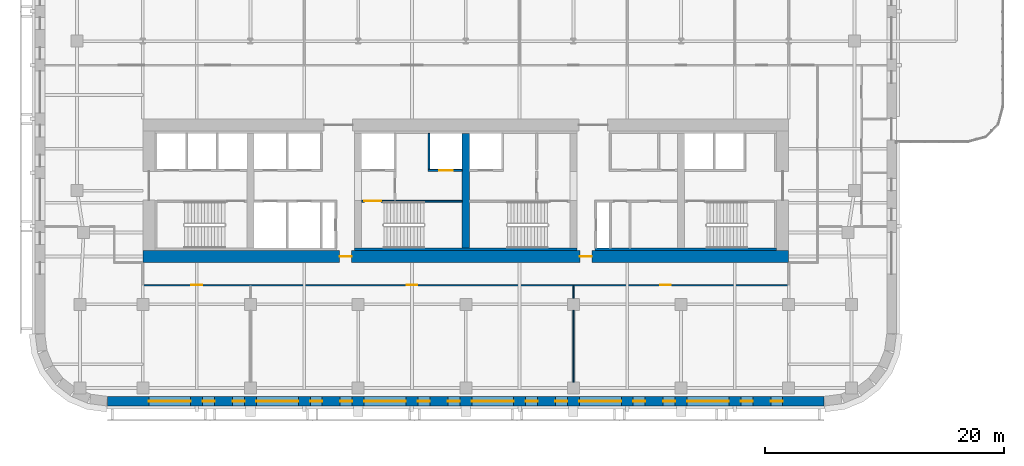
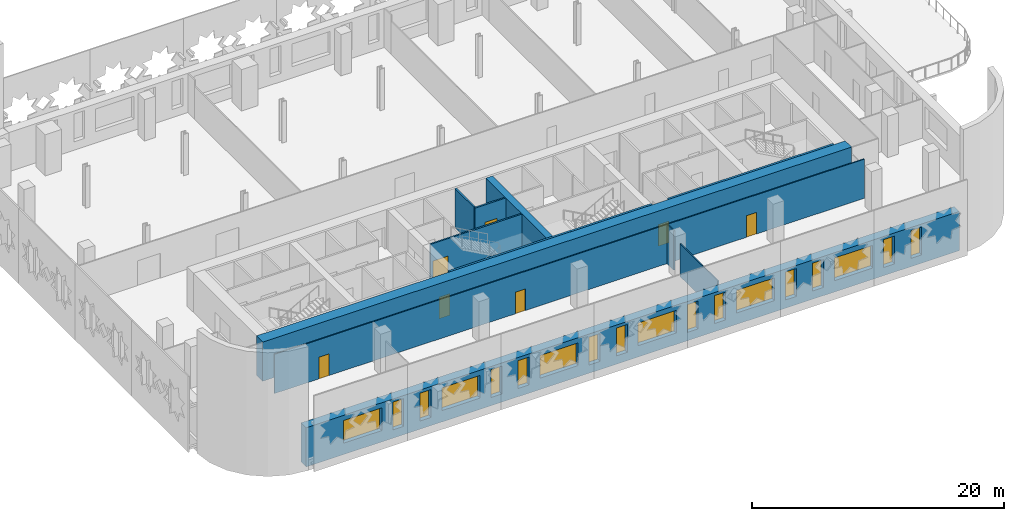
# One storey, part 4 of 11: 18 windows, 11 walls, 7 doors, 25 openings.
"""IFC4 building model written with IfcOpenShell, lengths in metres."""

from ifc_helpers import new_model, si_unit, direction, frame, frame_2d, origin, place, context, subcontext, project, spatial, rectangle, extrude, material, layer, layer_set, type_object, element, fill, save


model = new_model("IFC4")

# Units and contexts
model_context = context("Model", 3, precision=1e-05, world=origin(), true_north=direction((0.0, 1.0)))
body_context = subcontext(model_context, "Body", "Model", "MODEL_VIEW")
ifc_project = project(units=[si_unit("LENGTHUNIT", "METRE"), si_unit("AREAUNIT", "SQUARE_METRE"), si_unit("VOLUMEUNIT", "CUBIC_METRE"), si_unit("PLANEANGLEUNIT", "RADIAN"), si_unit("MASSUNIT", "GRAM", prefix="KILO")], contexts=[model_context])

# Site, building, storey
site_placement = place(None, origin())
site = spatial("IfcSite", under=ifc_project, at=site_placement, CompositionType="ELEMENT")
building_placement = place(site_placement, origin())
building = spatial("IfcBuilding", under=site, at=building_placement, Name="Zellij Exchange Tower", CompositionType="ELEMENT")
storey_placement = place(building_placement, frame((0.0, 0.0, 144.5)))
storey = spatial("IfcBuildingStorey", under=building, at=storey_placement, Name="L32", CompositionType="ELEMENT", Elevation=144.5)

# Walls
ifc_material_1 = material(Name="Concrete C70/85", Category="concrete")
ifc_layer_1 = layer(ifc_material_1, 0.60009765625)
ifc_layer_set_1 = layer_set([ifc_layer_1], Name="Concrete C70/85")
wall_type_1 = type_object("IfcWallType", Name="CORE-CW 600 C70/85", PredefinedType="SHEAR", material=ifc_layer_set_1)
wall_1_placement = place(storey_placement, frame((0.0, -12.800048828125, 0.0), z_axis=(0.0, 0.0, 1.0), x_axis=(0.0, 1.0, 0.0)))
element("IfcWall", 1, at=wall_1_placement, inside=storey, type_object=wall_type_1, Name="Core cross wall x 0 L32", PredefinedType="SHEAR", context=body_context, shape_type="SweptSolid", body=[
    extrude(rectangle(XDim=9.60009765625, YDim=0.60009765625, at=frame_2d((4.800048828125, 0.0))), origin(), (0.0, 0.0, 1.0), 3.800048828125),
])
ifc_material_2 = material(Name="Concrete C30/37", Category="concrete")
ifc_layer_2 = layer(ifc_material_2, 0.199951171875)
ifc_layer_set_2 = layer_set([ifc_layer_2], Name="Concrete C30/37")
wall_type_2 = type_object("IfcWallType", Name="CORE-LW 200 C30/37", PredefinedType="SHEAR", material=ifc_layer_set_2)
wall_2_placement = place(storey_placement, frame((-9.300048828125, -12.89990234375, 0.0), z_axis=(0.0, 0.0, 1.0), x_axis=(1.0, 0.0, 0.0)))
element("IfcWall", 2, at=wall_2_placement, inside=storey, type_object=wall_type_2, Name="Core wall lining rear.1 L32", PredefinedType="SHEAR", context=body_context, shape_type="SweptSolid", body=[
    extrude(rectangle(XDim=18.60009765625, YDim=0.199951171875, at=frame_2d((9.300048828125, 0.0))), origin(), (0.0, 0.0, 1.0), 3.800048828125),
])
wall_3_placement = place(storey_placement, frame((10.800048828125, -12.89990234375, 0.0), z_axis=(0.0, 0.0, 1.0), x_axis=(1.0, 0.0, 0.0)))
element("IfcWall", 3, at=wall_3_placement, inside=storey, type_object=wall_type_2, Name="Core wall lining rear.2 L32", PredefinedType="SHEAR", context=body_context, shape_type="SweptSolid", body=[
    extrude(rectangle(XDim=15.199951171875, YDim=0.199951171875, at=frame_2d((7.60009765625, 0.0))), origin(), (0.0, 0.0, 1.0), 3.800048828125),
])
ifc_material_3 = material(Name="Gypsum shaft wall system")
ifc_layer_3 = layer(ifc_material_3, 0.14990234375)
ifc_layer_set_3 = layer_set([ifc_layer_3], Name="Gypsum shaft wall system")
wall_type_3 = type_object("IfcWallType", Name="CORE-PW 150 Lift shaft wall", PredefinedType="PARTITIONING", material=ifc_layer_set_3)
wall_4_placement = place(storey_placement, frame((-3.074951171875, -6.22509765625, 0.0), z_axis=(0.0, 0.0, 1.0), x_axis=(0.0, 1.0, 0.0)))
element("IfcWall", 4, at=wall_4_placement, inside=storey, type_object=wall_type_3, Name="Lift shaft wall L32", PredefinedType="PARTITIONING", context=body_context, shape_type="SweptSolid", body=[
    extrude(rectangle(XDim=3.025146484375, YDim=0.14990234375, at=frame_2d((1.5126953125, 0.0))), origin(), (0.0, 0.0, 1.0), 3.800048828125),
])

# Wall, opening, door
wall_5_placement = place(storey_placement, frame((-3.14990234375, -6.300048828125, 0.0), z_axis=(0.0, 0.0, 1.0), x_axis=(1.0, 0.0, 0.0)))
wall_5 = element("IfcWall", 5, at=wall_5_placement, inside=storey, type_object=wall_type_3, Name="Lift shaft wall L32", PredefinedType="PARTITIONING", context=body_context, shape_type="SweptSolid", body=[
    extrude(rectangle(XDim=2.849853515625, YDim=0.14990234375, at=frame_2d((1.4248046875, 0.0))), origin(), (0.0, 0.0, 1.0), 3.800048828125),
])
opening_1_placement = place(wall_5_placement, frame((0.949951171875, 0.0, 0.0)))
opening_1 = element("IfcOpeningElement", 6, at=opening_1_placement, cuts=wall_5, Name="Opening CA-16.16", PredefinedType="OPENING", context=body_context, shape_type="SweptSolid", body=[
    extrude(rectangle(XDim=1.10009765625, YDim=2.10009765625, at=frame_2d((0.550048828125, 1.050048828125))), frame((0.0, 0.0869140625, 0.0), z_axis=(0.0, -1.0, 0.0), x_axis=(1.0, 0.0, 0.0)), (0.0, 0.0, 1.0), 0.173828125),
])
ifc_material_4 = material(Name="Hollow metal fire door")
door_type_1 = type_object("IfcDoorType", Name="CORE-D LD Lift landing door 1100x2100 1.5 HR", OperationType="NOTDEFINED", PredefinedType="DOOR", material=ifc_material_4)
door_1_placement = place(opening_1_placement, origin())
door_1 = element("IfcDoor", 7, at=door_1_placement, inside=storey, type_object=door_type_1, Name="Lift landing door CA-16.16", OperationType="SLIDING_TO_RIGHT", OverallHeight=2.10009765625, OverallWidth=1.10009765625, PredefinedType="DOOR", context=body_context, shape_type="SweptSolid", body=[
    extrude(rectangle(XDim=1.10009765625, YDim=2.10009765625, at=frame_2d((0.550048828125, 1.050048828125))), frame((0.0, 0.02490234375, 0.0), z_axis=(0.0, -1.0, 0.0), x_axis=(1.0, 0.0, 0.0)), (0.0, 0.0, 1.0), 0.050048828125),
])
fill(opening_1, door_1)

# Wall, openings, doors
ifc_layer_4 = layer(ifc_material_1, 1.0)
ifc_layer_set_4 = layer_set([ifc_layer_4], Name="Concrete C70/85")
wall_type_4 = type_object("IfcWallType", Name="CORE-SW 1000 C70/85", PredefinedType="SHEAR", material=ifc_layer_set_4)
wall_6_placement = place(storey_placement, frame((-27.0, -13.5, 0.0), z_axis=(0.0, 0.0, 1.0), x_axis=(1.0, 0.0, 0.0)))
wall_6 = element("IfcWall", 8, at=wall_6_placement, inside=storey, type_object=wall_type_4, Name="Core shear wall rear L32", PredefinedType="SHEAR", context=body_context, shape_type="SweptSolid", body=[
    extrude(rectangle(XDim=54.0, YDim=1.0, at=frame_2d((27.0, 0.0))), origin(), (0.0, 0.0, 1.0), 3.800048828125),
])
opening_2_placement = place(wall_6_placement, frame((16.449951171875, 0.0, 0.0)))
opening_2 = element("IfcOpeningElement", 9, at=opening_2_placement, cuts=wall_6, Name="Opening CA-16.12", PredefinedType="OPENING", context=body_context, shape_type="SweptSolid", body=[
    extrude(rectangle(XDim=1.0, YDim=2.10009765625, at=frame_2d((0.5, 1.050048828125))), frame((0.0, 0.511962890625, 0.0), z_axis=(0.0, -1.0, 0.0), x_axis=(1.0, 0.0, 0.0)), (0.0, 0.0, 1.0), 1.02392578125),
])
opening_3_placement = place(wall_6_placement, frame((36.550048828125, 0.0, 0.0)))
opening_3 = element("IfcOpeningElement", 10, at=opening_3_placement, cuts=wall_6, Name="Opening CA-16.20", PredefinedType="OPENING", context=body_context, shape_type="SweptSolid", body=[
    extrude(rectangle(XDim=1.0, YDim=2.10009765625, at=frame_2d((0.5, 1.050048828125))), frame((0.0, 0.511962890625, 0.0), z_axis=(0.0, -1.0, 0.0), x_axis=(1.0, 0.0, 0.0)), (0.0, 0.0, 1.0), 1.02392578125),
])
door_type_2 = type_object("IfcDoorType", Name="CORE-D CR Core rear door 1000x2100 20 MIN", OperationType="NOTDEFINED", PredefinedType="DOOR", material=ifc_material_4)
door_2_placement = place(opening_2_placement, origin())
door_2 = element("IfcDoor", 11, at=door_2_placement, inside=storey, type_object=door_type_2, Name="Core rear door CA-16.12", OperationType="SINGLE_SWING_RIGHT", OverallHeight=2.10009765625, OverallWidth=1.0, PredefinedType="DOOR", context=body_context, shape_type="SweptSolid", body=[
    extrude(rectangle(XDim=1.0, YDim=2.10009765625, at=frame_2d((0.5, 1.050048828125))), frame((0.0, 0.02490234375, 0.0), z_axis=(0.0, -1.0, 0.0), x_axis=(1.0, 0.0, 0.0)), (0.0, 0.0, 1.0), 0.050048828125),
])
fill(opening_2, door_2)
door_3_placement = place(opening_3_placement, origin())
door_3 = element("IfcDoor", 12, at=door_3_placement, inside=storey, type_object=door_type_2, Name="Core rear door CA-16.20", OperationType="SINGLE_SWING_LEFT", OverallHeight=2.10009765625, OverallWidth=1.0, PredefinedType="DOOR", context=body_context, shape_type="SweptSolid", body=[
    extrude(rectangle(XDim=1.0, YDim=2.10009765625, at=frame_2d((0.5, 1.050048828125))), frame((0.0, 0.02490234375, 0.0), z_axis=(0.0, -1.0, 0.0), x_axis=(1.0, 0.0, 0.0)), (0.0, 0.0, 1.0), 0.050048828125),
])
fill(opening_3, door_3)

# Wall, opening, door
ifc_layer_5 = layer(ifc_material_1, 0.14990234375)
ifc_layer_set_5 = layer_set([ifc_layer_5], Name="Concrete C70/85")
wall_type_5 = type_object("IfcWallType", Name="CORE-SWS 150 C70/85", PredefinedType="SHEAR", material=ifc_layer_set_5)
wall_7_placement = place(storey_placement, frame((-8.699951171875, -8.875, 0.0), z_axis=(0.0, 0.0, 1.0), x_axis=(1.0, 0.0, 0.0)))
wall_7 = element("IfcWall", 13, at=wall_7_placement, inside=storey, type_object=wall_type_5, Name="Stair enclosure wall L32", PredefinedType="SHEAR", context=body_context, shape_type="SweptSolid", body=[
    extrude(rectangle(XDim=8.39990234375, YDim=0.14990234375, at=frame_2d((4.199951171875, 0.0))), origin(), (0.0, 0.0, 1.0), 3.800048828125),
])
opening_4_placement = place(wall_7_placement, frame((0.22509765625, 0.0, 0.0)))
opening_4 = element("IfcOpeningElement", 14, at=opening_4_placement, cuts=wall_7, Name="Opening CA-16.13", PredefinedType="OPENING", context=body_context, shape_type="SweptSolid", body=[
    extrude(rectangle(XDim=1.39990234375, YDim=2.10009765625, at=frame_2d((0.699951171875, 1.050048828125))), frame((0.0, 0.0869140625, 0.0), z_axis=(0.0, -1.0, 0.0), x_axis=(1.0, 0.0, 0.0)), (0.0, 0.0, 1.0), 0.173828125),
])
door_type_3 = type_object("IfcDoorType", Name="CORE-D SD Stair door 1400x2100 1.5 HR", OperationType="NOTDEFINED", PredefinedType="DOOR", material=ifc_material_4)
door_4_placement = place(opening_4_placement, origin())
door_4 = element("IfcDoor", 15, at=door_4_placement, inside=storey, type_object=door_type_3, Name="Stair door CA-16.13", OperationType="DOUBLE_DOOR_SINGLE_SWING", OverallHeight=2.10009765625, OverallWidth=1.39990234375, PredefinedType="DOOR", context=body_context, shape_type="SweptSolid", body=[
    extrude(rectangle(XDim=1.39990234375, YDim=2.10009765625, at=frame_2d((0.699951171875, 1.050048828125))), frame((0.0, 0.02490234375, 0.0), z_axis=(0.0, -1.0, 0.0), x_axis=(1.0, 0.0, 0.0)), (0.0, 0.0, 1.0), 0.050048828125),
])
fill(opening_4, door_4)

# Wall, openings, windows
ifc_material_5 = material(Name="Precast concrete C40/50", Category="concrete")
ifc_layer_6 = layer(ifc_material_5, 0.800048828125)
ifc_layer_set_6 = layer_set([ifc_layer_6], Name="Precast concrete C40/50")
wall_type_6 = type_object("IfcWallType", Name="ENV-EW1 Precast stone-piered wall 800", PredefinedType="SOLIDWALL", material=ifc_layer_set_6)
wall_8_placement = place(storey_placement, frame((-29.947509765625, -25.60009765625, 0.0), z_axis=(0.0, 0.0, 1.0), x_axis=(1.0, 0.0, 0.0)))
wall_8 = element("IfcWall", 16, at=wall_8_placement, inside=storey, type_object=wall_type_6, Name="fac.L32.00", PredefinedType="SOLIDWALL", context=body_context, shape_type="SweptSolid", body=[
    extrude(rectangle(XDim=59.89501953125, YDim=0.800048828125, at=frame_2d((29.947509765625, 0.0))), origin(), (0.0, 0.0, 1.0), 3.800048828125),
])
opening_5_placement = place(wall_8_placement, frame((3.447509765625, 0.0, 1.10009765625)))
opening_5 = element("IfcOpeningElement", 17, at=opening_5_placement, cuts=wall_8, Name="Opening FZ2.01", PredefinedType="OPENING", context=body_context, shape_type="SweptSolid", body=[
    extrude(rectangle(XDim=3.5, YDim=2.199951171875, at=frame_2d((1.75, 1.10009765625))), frame((0.0, 0.412109375, 0.0), z_axis=(0.0, -1.0, 0.0), x_axis=(1.0, 0.0, 0.0)), (0.0, 0.0, 1.0), 0.823974609375),
])
opening_6_placement = place(wall_8_placement, frame((7.947509765625, 0.0, 0.800048828125)))
opening_6 = element("IfcOpeningElement", 18, at=opening_6_placement, cuts=wall_8, Name="Opening FZ2.02", PredefinedType="OPENING", context=body_context, shape_type="SweptSolid", body=[
    extrude(rectangle(XDim=1.0, YDim=2.699951171875, at=frame_2d((0.5, 1.35009765625))), frame((0.0, 0.412109375, 0.0), z_axis=(0.0, -1.0, 0.0), x_axis=(1.0, 0.0, 0.0)), (0.0, 0.0, 1.0), 0.823974609375),
])
opening_7_placement = place(wall_8_placement, frame((10.447509765625, 0.0, 0.800048828125)))
opening_7 = element("IfcOpeningElement", 19, at=opening_7_placement, cuts=wall_8, Name="Opening FZ2.03", PredefinedType="OPENING", context=body_context, shape_type="SweptSolid", body=[
    extrude(rectangle(XDim=1.0, YDim=2.699951171875, at=frame_2d((0.5, 1.35009765625))), frame((0.0, 0.412109375, 0.0), z_axis=(0.0, -1.0, 0.0), x_axis=(1.0, 0.0, 0.0)), (0.0, 0.0, 1.0), 0.823974609375),
])
opening_8_placement = place(wall_8_placement, frame((12.447509765625, 0.0, 1.10009765625)))
opening_8 = element("IfcOpeningElement", 20, at=opening_8_placement, cuts=wall_8, Name="Opening FZ2.04", PredefinedType="OPENING", context=body_context, shape_type="SweptSolid", body=[
    extrude(rectangle(XDim=3.5, YDim=2.199951171875, at=frame_2d((1.75, 1.10009765625))), frame((0.0, 0.412109375, 0.0), z_axis=(0.0, -1.0, 0.0), x_axis=(1.0, 0.0, 0.0)), (0.0, 0.0, 1.0), 0.823974609375),
])
opening_9_placement = place(wall_8_placement, frame((16.947509765625, 0.0, 0.800048828125)))
opening_9 = element("IfcOpeningElement", 21, at=opening_9_placement, cuts=wall_8, Name="Opening FZ2.05", PredefinedType="OPENING", context=body_context, shape_type="SweptSolid", body=[
    extrude(rectangle(XDim=1.0, YDim=2.699951171875, at=frame_2d((0.5, 1.35009765625))), frame((0.0, 0.412109375, 0.0), z_axis=(0.0, -1.0, 0.0), x_axis=(1.0, 0.0, 0.0)), (0.0, 0.0, 1.0), 0.823974609375),
])
opening_10_placement = place(wall_8_placement, frame((19.447509765625, 0.0, 0.800048828125)))
opening_10 = element("IfcOpeningElement", 22, at=opening_10_placement, cuts=wall_8, Name="Opening FZ2.06", PredefinedType="OPENING", context=body_context, shape_type="SweptSolid", body=[
    extrude(rectangle(XDim=1.0, YDim=2.699951171875, at=frame_2d((0.5, 1.35009765625))), frame((0.0, 0.412109375, 0.0), z_axis=(0.0, -1.0, 0.0), x_axis=(1.0, 0.0, 0.0)), (0.0, 0.0, 1.0), 0.823974609375),
])
opening_11_placement = place(wall_8_placement, frame((21.447509765625, 0.0, 1.10009765625)))
opening_11 = element("IfcOpeningElement", 23, at=opening_11_placement, cuts=wall_8, Name="Opening FZ2.07", PredefinedType="OPENING", context=body_context, shape_type="SweptSolid", body=[
    extrude(rectangle(XDim=3.5, YDim=2.199951171875, at=frame_2d((1.75, 1.10009765625))), frame((0.0, 0.412109375, 0.0), z_axis=(0.0, -1.0, 0.0), x_axis=(1.0, 0.0, 0.0)), (0.0, 0.0, 1.0), 0.823974609375),
])
opening_12_placement = place(wall_8_placement, frame((25.947509765625, 0.0, 0.800048828125)))
opening_12 = element("IfcOpeningElement", 24, at=opening_12_placement, cuts=wall_8, Name="Opening FZ2.08", PredefinedType="OPENING", context=body_context, shape_type="SweptSolid", body=[
    extrude(rectangle(XDim=1.0, YDim=2.699951171875, at=frame_2d((0.5, 1.35009765625))), frame((0.0, 0.412109375, 0.0), z_axis=(0.0, -1.0, 0.0), x_axis=(1.0, 0.0, 0.0)), (0.0, 0.0, 1.0), 0.823974609375),
])
opening_13_placement = place(wall_8_placement, frame((28.447509765625, 0.0, 0.800048828125)))
opening_13 = element("IfcOpeningElement", 25, at=opening_13_placement, cuts=wall_8, Name="Opening FZ2.09", PredefinedType="OPENING", context=body_context, shape_type="SweptSolid", body=[
    extrude(rectangle(XDim=1.0, YDim=2.699951171875, at=frame_2d((0.5, 1.35009765625))), frame((0.0, 0.412109375, 0.0), z_axis=(0.0, -1.0, 0.0), x_axis=(1.0, 0.0, 0.0)), (0.0, 0.0, 1.0), 0.823974609375),
])
opening_14_placement = place(wall_8_placement, frame((30.447509765625, 0.0, 1.10009765625)))
opening_14 = element("IfcOpeningElement", 26, at=opening_14_placement, cuts=wall_8, Name="Opening FZ2.10", PredefinedType="OPENING", context=body_context, shape_type="SweptSolid", body=[
    extrude(rectangle(XDim=3.5, YDim=2.199951171875, at=frame_2d((1.75, 1.10009765625))), frame((0.0, 0.412109375, 0.0), z_axis=(0.0, -1.0, 0.0), x_axis=(1.0, 0.0, 0.0)), (0.0, 0.0, 1.0), 0.823974609375),
])
opening_15_placement = place(wall_8_placement, frame((34.947509765625, 0.0, 0.800048828125)))
opening_15 = element("IfcOpeningElement", 27, at=opening_15_placement, cuts=wall_8, Name="Opening FZ2.11", PredefinedType="OPENING", context=body_context, shape_type="SweptSolid", body=[
    extrude(rectangle(XDim=1.0, YDim=2.699951171875, at=frame_2d((0.5, 1.35009765625))), frame((0.0, 0.412109375, 0.0), z_axis=(0.0, -1.0, 0.0), x_axis=(1.0, 0.0, 0.0)), (0.0, 0.0, 1.0), 0.823974609375),
])
opening_16_placement = place(wall_8_placement, frame((37.447509765625, 0.0, 0.800048828125)))
opening_16 = element("IfcOpeningElement", 28, at=opening_16_placement, cuts=wall_8, Name="Opening FZ2.12", PredefinedType="OPENING", context=body_context, shape_type="SweptSolid", body=[
    extrude(rectangle(XDim=1.0, YDim=2.699951171875, at=frame_2d((0.5, 1.35009765625))), frame((0.0, 0.412109375, 0.0), z_axis=(0.0, -1.0, 0.0), x_axis=(1.0, 0.0, 0.0)), (0.0, 0.0, 1.0), 0.823974609375),
])
opening_17_placement = place(wall_8_placement, frame((39.447509765625, 0.0, 1.10009765625)))
opening_17 = element("IfcOpeningElement", 29, at=opening_17_placement, cuts=wall_8, Name="Opening FZ2.13", PredefinedType="OPENING", context=body_context, shape_type="SweptSolid", body=[
    extrude(rectangle(XDim=3.5, YDim=2.199951171875, at=frame_2d((1.75, 1.10009765625))), frame((0.0, 0.412109375, 0.0), z_axis=(0.0, -1.0, 0.0), x_axis=(1.0, 0.0, 0.0)), (0.0, 0.0, 1.0), 0.823974609375),
])
opening_18_placement = place(wall_8_placement, frame((43.947509765625, 0.0, 0.800048828125)))
opening_18 = element("IfcOpeningElement", 30, at=opening_18_placement, cuts=wall_8, Name="Opening FZ2.14", PredefinedType="OPENING", context=body_context, shape_type="SweptSolid", body=[
    extrude(rectangle(XDim=1.0, YDim=2.699951171875, at=frame_2d((0.5, 1.35009765625))), frame((0.0, 0.412109375, 0.0), z_axis=(0.0, -1.0, 0.0), x_axis=(1.0, 0.0, 0.0)), (0.0, 0.0, 1.0), 0.823974609375),
])
opening_19_placement = place(wall_8_placement, frame((46.447509765625, 0.0, 0.800048828125)))
opening_19 = element("IfcOpeningElement", 31, at=opening_19_placement, cuts=wall_8, Name="Opening FZ2.15", PredefinedType="OPENING", context=body_context, shape_type="SweptSolid", body=[
    extrude(rectangle(XDim=1.0, YDim=2.699951171875, at=frame_2d((0.5, 1.35009765625))), frame((0.0, 0.412109375, 0.0), z_axis=(0.0, -1.0, 0.0), x_axis=(1.0, 0.0, 0.0)), (0.0, 0.0, 1.0), 0.823974609375),
])
opening_20_placement = place(wall_8_placement, frame((48.447509765625, 0.0, 1.10009765625)))
opening_20 = element("IfcOpeningElement", 32, at=opening_20_placement, cuts=wall_8, Name="Opening FZ2.16", PredefinedType="OPENING", context=body_context, shape_type="SweptSolid", body=[
    extrude(rectangle(XDim=3.5, YDim=2.199951171875, at=frame_2d((1.75, 1.10009765625))), frame((0.0, 0.412109375, 0.0), z_axis=(0.0, -1.0, 0.0), x_axis=(1.0, 0.0, 0.0)), (0.0, 0.0, 1.0), 0.823974609375),
])
opening_21_placement = place(wall_8_placement, frame((52.947509765625, 0.0, 0.800048828125)))
opening_21 = element("IfcOpeningElement", 33, at=opening_21_placement, cuts=wall_8, Name="Opening FZ2.17", PredefinedType="OPENING", context=body_context, shape_type="SweptSolid", body=[
    extrude(rectangle(XDim=1.0, YDim=2.699951171875, at=frame_2d((0.5, 1.35009765625))), frame((0.0, 0.412109375, 0.0), z_axis=(0.0, -1.0, 0.0), x_axis=(1.0, 0.0, 0.0)), (0.0, 0.0, 1.0), 0.823974609375),
])
opening_22_placement = place(wall_8_placement, frame((55.447509765625, 0.0, 0.800048828125)))
opening_22 = element("IfcOpeningElement", 34, at=opening_22_placement, cuts=wall_8, Name="Opening FZ2.18", PredefinedType="OPENING", context=body_context, shape_type="SweptSolid", body=[
    extrude(rectangle(XDim=1.0, YDim=2.699951171875, at=frame_2d((0.5, 1.35009765625))), frame((0.0, 0.412109375, 0.0), z_axis=(0.0, -1.0, 0.0), x_axis=(1.0, 0.0, 0.0)), (0.0, 0.0, 1.0), 0.823974609375),
])
ifc_material_6 = material(Name="Aluminium frame with insulating glass", Category="aluminium")
window_type_1 = type_object("IfcWindowType", Name="ENV-W7 Window 3500x2200", PartitioningType="SINGLE_PANEL", PredefinedType="WINDOW", material=ifc_material_6)
window_1_placement = place(opening_5_placement, origin())
window_1 = element("IfcWindow", 35, at=window_1_placement, inside=storey, type_object=window_type_1, Name="Window FZ2.01", OverallHeight=2.199951171875, OverallWidth=3.5, PartitioningType="SINGLE_PANEL", PredefinedType="WINDOW", context=body_context, shape_type="SweptSolid", body=[
    extrude(rectangle(XDim=3.5, YDim=2.199951171875, at=frame_2d((1.75, 1.10009765625))), frame((0.0, 0.030029296875, 0.0), z_axis=(0.0, -1.0, 0.0), x_axis=(1.0, 0.0, 0.0)), (0.0, 0.0, 1.0), 0.06005859375),
])
fill(opening_5, window_1)
window_2_placement = place(opening_8_placement, origin())
window_2 = element("IfcWindow", 36, at=window_2_placement, inside=storey, type_object=window_type_1, Name="Window FZ2.04", OverallHeight=2.199951171875, OverallWidth=3.5, PartitioningType="SINGLE_PANEL", PredefinedType="WINDOW", context=body_context, shape_type="SweptSolid", body=[
    extrude(rectangle(XDim=3.5, YDim=2.199951171875, at=frame_2d((1.75, 1.10009765625))), frame((0.0, 0.030029296875, 0.0), z_axis=(0.0, -1.0, 0.0), x_axis=(1.0, 0.0, 0.0)), (0.0, 0.0, 1.0), 0.06005859375),
])
fill(opening_8, window_2)
window_3_placement = place(opening_11_placement, origin())
window_3 = element("IfcWindow", 37, at=window_3_placement, inside=storey, type_object=window_type_1, Name="Window FZ2.07", OverallHeight=2.199951171875, OverallWidth=3.5, PartitioningType="SINGLE_PANEL", PredefinedType="WINDOW", context=body_context, shape_type="SweptSolid", body=[
    extrude(rectangle(XDim=3.5, YDim=2.199951171875, at=frame_2d((1.75, 1.10009765625))), frame((0.0, 0.030029296875, 0.0), z_axis=(0.0, -1.0, 0.0), x_axis=(1.0, 0.0, 0.0)), (0.0, 0.0, 1.0), 0.06005859375),
])
fill(opening_11, window_3)
window_4_placement = place(opening_14_placement, origin())
window_4 = element("IfcWindow", 38, at=window_4_placement, inside=storey, type_object=window_type_1, Name="Window FZ2.10", OverallHeight=2.199951171875, OverallWidth=3.5, PartitioningType="SINGLE_PANEL", PredefinedType="WINDOW", context=body_context, shape_type="SweptSolid", body=[
    extrude(rectangle(XDim=3.5, YDim=2.199951171875, at=frame_2d((1.75, 1.10009765625))), frame((0.0, 0.030029296875, 0.0), z_axis=(0.0, -1.0, 0.0), x_axis=(1.0, 0.0, 0.0)), (0.0, 0.0, 1.0), 0.06005859375),
])
fill(opening_14, window_4)
window_5_placement = place(opening_17_placement, origin())
window_5 = element("IfcWindow", 39, at=window_5_placement, inside=storey, type_object=window_type_1, Name="Window FZ2.13", OverallHeight=2.199951171875, OverallWidth=3.5, PartitioningType="SINGLE_PANEL", PredefinedType="WINDOW", context=body_context, shape_type="SweptSolid", body=[
    extrude(rectangle(XDim=3.5, YDim=2.199951171875, at=frame_2d((1.75, 1.10009765625))), frame((0.0, 0.030029296875, 0.0), z_axis=(0.0, -1.0, 0.0), x_axis=(1.0, 0.0, 0.0)), (0.0, 0.0, 1.0), 0.06005859375),
])
fill(opening_17, window_5)
window_6_placement = place(opening_20_placement, origin())
window_6 = element("IfcWindow", 40, at=window_6_placement, inside=storey, type_object=window_type_1, Name="Window FZ2.16", OverallHeight=2.199951171875, OverallWidth=3.5, PartitioningType="SINGLE_PANEL", PredefinedType="WINDOW", context=body_context, shape_type="SweptSolid", body=[
    extrude(rectangle(XDim=3.5, YDim=2.199951171875, at=frame_2d((1.75, 1.10009765625))), frame((0.0, 0.030029296875, 0.0), z_axis=(0.0, -1.0, 0.0), x_axis=(1.0, 0.0, 0.0)), (0.0, 0.0, 1.0), 0.06005859375),
])
fill(opening_20, window_6)
window_type_2 = type_object("IfcWindowType", Name="ENV-W8 Window 1000x2700", PartitioningType="SINGLE_PANEL", PredefinedType="WINDOW", material=ifc_material_6)
window_7_placement = place(opening_6_placement, origin())
window_7 = element("IfcWindow", 41, at=window_7_placement, inside=storey, type_object=window_type_2, Name="Window FZ2.02", OverallHeight=2.699951171875, OverallWidth=1.0, PartitioningType="SINGLE_PANEL", PredefinedType="WINDOW", context=body_context, shape_type="SweptSolid", body=[
    extrude(rectangle(XDim=1.0, YDim=2.699951171875, at=frame_2d((0.5, 1.35009765625))), frame((0.0, 0.030029296875, 0.0), z_axis=(0.0, -1.0, 0.0), x_axis=(1.0, 0.0, 0.0)), (0.0, 0.0, 1.0), 0.06005859375),
])
fill(opening_6, window_7)
window_8_placement = place(opening_7_placement, origin())
window_8 = element("IfcWindow", 42, at=window_8_placement, inside=storey, type_object=window_type_2, Name="Window FZ2.03", OverallHeight=2.699951171875, OverallWidth=1.0, PartitioningType="SINGLE_PANEL", PredefinedType="WINDOW", context=body_context, shape_type="SweptSolid", body=[
    extrude(rectangle(XDim=1.0, YDim=2.699951171875, at=frame_2d((0.5, 1.35009765625))), frame((0.0, 0.030029296875, 0.0), z_axis=(0.0, -1.0, 0.0), x_axis=(1.0, 0.0, 0.0)), (0.0, 0.0, 1.0), 0.06005859375),
])
fill(opening_7, window_8)
window_9_placement = place(opening_9_placement, origin())
window_9 = element("IfcWindow", 43, at=window_9_placement, inside=storey, type_object=window_type_2, Name="Window FZ2.05", OverallHeight=2.699951171875, OverallWidth=1.0, PartitioningType="SINGLE_PANEL", PredefinedType="WINDOW", context=body_context, shape_type="SweptSolid", body=[
    extrude(rectangle(XDim=1.0, YDim=2.699951171875, at=frame_2d((0.5, 1.35009765625))), frame((0.0, 0.030029296875, 0.0), z_axis=(0.0, -1.0, 0.0), x_axis=(1.0, 0.0, 0.0)), (0.0, 0.0, 1.0), 0.06005859375),
])
fill(opening_9, window_9)
window_10_placement = place(opening_10_placement, origin())
window_10 = element("IfcWindow", 44, at=window_10_placement, inside=storey, type_object=window_type_2, Name="Window FZ2.06", OverallHeight=2.699951171875, OverallWidth=1.0, PartitioningType="SINGLE_PANEL", PredefinedType="WINDOW", context=body_context, shape_type="SweptSolid", body=[
    extrude(rectangle(XDim=1.0, YDim=2.699951171875, at=frame_2d((0.5, 1.35009765625))), frame((0.0, 0.030029296875, 0.0), z_axis=(0.0, -1.0, 0.0), x_axis=(1.0, 0.0, 0.0)), (0.0, 0.0, 1.0), 0.06005859375),
])
fill(opening_10, window_10)
window_11_placement = place(opening_12_placement, origin())
window_11 = element("IfcWindow", 45, at=window_11_placement, inside=storey, type_object=window_type_2, Name="Window FZ2.08", OverallHeight=2.699951171875, OverallWidth=1.0, PartitioningType="SINGLE_PANEL", PredefinedType="WINDOW", context=body_context, shape_type="SweptSolid", body=[
    extrude(rectangle(XDim=1.0, YDim=2.699951171875, at=frame_2d((0.5, 1.35009765625))), frame((0.0, 0.030029296875, 0.0), z_axis=(0.0, -1.0, 0.0), x_axis=(1.0, 0.0, 0.0)), (0.0, 0.0, 1.0), 0.06005859375),
])
fill(opening_12, window_11)
window_12_placement = place(opening_13_placement, origin())
window_12 = element("IfcWindow", 46, at=window_12_placement, inside=storey, type_object=window_type_2, Name="Window FZ2.09", OverallHeight=2.699951171875, OverallWidth=1.0, PartitioningType="SINGLE_PANEL", PredefinedType="WINDOW", context=body_context, shape_type="SweptSolid", body=[
    extrude(rectangle(XDim=1.0, YDim=2.699951171875, at=frame_2d((0.5, 1.35009765625))), frame((0.0, 0.030029296875, 0.0), z_axis=(0.0, -1.0, 0.0), x_axis=(1.0, 0.0, 0.0)), (0.0, 0.0, 1.0), 0.06005859375),
])
fill(opening_13, window_12)
window_13_placement = place(opening_15_placement, origin())
window_13 = element("IfcWindow", 47, at=window_13_placement, inside=storey, type_object=window_type_2, Name="Window FZ2.11", OverallHeight=2.699951171875, OverallWidth=1.0, PartitioningType="SINGLE_PANEL", PredefinedType="WINDOW", context=body_context, shape_type="SweptSolid", body=[
    extrude(rectangle(XDim=1.0, YDim=2.699951171875, at=frame_2d((0.5, 1.35009765625))), frame((0.0, 0.030029296875, 0.0), z_axis=(0.0, -1.0, 0.0), x_axis=(1.0, 0.0, 0.0)), (0.0, 0.0, 1.0), 0.06005859375),
])
fill(opening_15, window_13)
window_14_placement = place(opening_16_placement, origin())
window_14 = element("IfcWindow", 48, at=window_14_placement, inside=storey, type_object=window_type_2, Name="Window FZ2.12", OverallHeight=2.699951171875, OverallWidth=1.0, PartitioningType="SINGLE_PANEL", PredefinedType="WINDOW", context=body_context, shape_type="SweptSolid", body=[
    extrude(rectangle(XDim=1.0, YDim=2.699951171875, at=frame_2d((0.5, 1.35009765625))), frame((0.0, 0.030029296875, 0.0), z_axis=(0.0, -1.0, 0.0), x_axis=(1.0, 0.0, 0.0)), (0.0, 0.0, 1.0), 0.06005859375),
])
fill(opening_16, window_14)
window_15_placement = place(opening_18_placement, origin())
window_15 = element("IfcWindow", 49, at=window_15_placement, inside=storey, type_object=window_type_2, Name="Window FZ2.14", OverallHeight=2.699951171875, OverallWidth=1.0, PartitioningType="SINGLE_PANEL", PredefinedType="WINDOW", context=body_context, shape_type="SweptSolid", body=[
    extrude(rectangle(XDim=1.0, YDim=2.699951171875, at=frame_2d((0.5, 1.35009765625))), frame((0.0, 0.030029296875, 0.0), z_axis=(0.0, -1.0, 0.0), x_axis=(1.0, 0.0, 0.0)), (0.0, 0.0, 1.0), 0.06005859375),
])
fill(opening_18, window_15)
window_16_placement = place(opening_19_placement, origin())
window_16 = element("IfcWindow", 50, at=window_16_placement, inside=storey, type_object=window_type_2, Name="Window FZ2.15", OverallHeight=2.699951171875, OverallWidth=1.0, PartitioningType="SINGLE_PANEL", PredefinedType="WINDOW", context=body_context, shape_type="SweptSolid", body=[
    extrude(rectangle(XDim=1.0, YDim=2.699951171875, at=frame_2d((0.5, 1.35009765625))), frame((0.0, 0.030029296875, 0.0), z_axis=(0.0, -1.0, 0.0), x_axis=(1.0, 0.0, 0.0)), (0.0, 0.0, 1.0), 0.06005859375),
])
fill(opening_19, window_16)
window_17_placement = place(opening_21_placement, origin())
window_17 = element("IfcWindow", 51, at=window_17_placement, inside=storey, type_object=window_type_2, Name="Window FZ2.17", OverallHeight=2.699951171875, OverallWidth=1.0, PartitioningType="SINGLE_PANEL", PredefinedType="WINDOW", context=body_context, shape_type="SweptSolid", body=[
    extrude(rectangle(XDim=1.0, YDim=2.699951171875, at=frame_2d((0.5, 1.35009765625))), frame((0.0, 0.030029296875, 0.0), z_axis=(0.0, -1.0, 0.0), x_axis=(1.0, 0.0, 0.0)), (0.0, 0.0, 1.0), 0.06005859375),
])
fill(opening_21, window_17)
window_18_placement = place(opening_22_placement, origin())
window_18 = element("IfcWindow", 52, at=window_18_placement, inside=storey, type_object=window_type_2, Name="Window FZ2.18", OverallHeight=2.699951171875, OverallWidth=1.0, PartitioningType="SINGLE_PANEL", PredefinedType="WINDOW", context=body_context, shape_type="SweptSolid", body=[
    extrude(rectangle(XDim=1.0, YDim=2.699951171875, at=frame_2d((0.5, 1.35009765625))), frame((0.0, 0.030029296875, 0.0), z_axis=(0.0, -1.0, 0.0), x_axis=(1.0, 0.0, 0.0)), (0.0, 0.0, 1.0), 0.06005859375),
])
fill(opening_22, window_18)

# Walls
ifc_material_7 = material(Name="Gypsum board partition on steel studs", Category="steel")
ifc_layer_7 = layer(ifc_material_7, 0.10009765625)
ifc_layer_set_7 = layer_set([ifc_layer_7], Name="Gypsum board partition on steel studs")
wall_type_7 = type_object("IfcWallType", Name="FIT-PARTITION-100", PredefinedType="PARTITIONING", material=ifc_layer_set_7)
wall_9_placement = place(storey_placement, frame((9.0, -24.0, 0.0), z_axis=(0.0, 0.0, 1.0), x_axis=(0.0, 1.0, 0.0)))
element("IfcWall", 53, at=wall_9_placement, inside=storey, type_object=wall_type_7, Name="FIT-PARTITION-100 003", PredefinedType="PARTITIONING", context=body_context, shape_type="SweptSolid", body=[
    extrude(rectangle(XDim=6.0, YDim=0.10009765625, at=frame_2d((3.0, 0.0))), origin(), (0.0, 0.0, 1.0), 3.18798828125),
])
wall_10_placement = place(storey_placement, frame((9.0, -17.0, 0.0), z_axis=(0.0, 0.0, 1.0), x_axis=(0.0, 1.0, 0.0)))
element("IfcWall", 54, at=wall_10_placement, inside=storey, type_object=wall_type_7, Name="FIT-PARTITION-100 004", PredefinedType="PARTITIONING", context=body_context, shape_type="SweptSolid", body=[
    extrude(rectangle(XDim=1.050048828125, YDim=0.10009765625, at=frame_2d((0.52490234375, 0.0))), origin(), (0.0, 0.0, 1.0), 3.800048828125),
])

# Wall, openings, doors
wall_11_placement = place(storey_placement, frame((-27.050048828125, -15.89990234375, 0.0), z_axis=(0.0, 0.0, 1.0), x_axis=(1.0, 0.0, 0.0)))
wall_11 = element("IfcWall", 55, at=wall_11_placement, inside=storey, type_object=wall_type_7, Name="FIT-PARTITION-100 005", PredefinedType="PARTITIONING", context=body_context, shape_type="SweptSolid", body=[
    extrude(rectangle(XDim=54.10009765625, YDim=0.10009765625, at=frame_2d((27.050048828125, 0.0))), origin(), (0.0, 0.0, 1.0), 3.800048828125),
])
opening_23_placement = place(wall_11_placement, frame((4.10009765625, 0.0, 0.0)))
opening_23 = element("IfcOpeningElement", 56, at=opening_23_placement, cuts=wall_11, Name="Opening TH.01", PredefinedType="OPENING", context=body_context, shape_type="SweptSolid", body=[
    extrude(rectangle(XDim=0.89990234375, YDim=2.10009765625, at=frame_2d((0.449951171875, 1.050048828125))), frame((0.0, 0.06201171875, 0.0), z_axis=(0.0, -1.0, 0.0), x_axis=(1.0, 0.0, 0.0)), (0.0, 0.0, 1.0), 0.1240234375),
])
opening_24_placement = place(wall_11_placement, frame((22.10009765625, 0.0, 0.0)))
opening_24 = element("IfcOpeningElement", 57, at=opening_24_placement, cuts=wall_11, Name="Opening TH.02", PredefinedType="OPENING", context=body_context, shape_type="SweptSolid", body=[
    extrude(rectangle(XDim=0.89990234375, YDim=2.10009765625, at=frame_2d((0.449951171875, 1.050048828125))), frame((0.0, 0.06201171875, 0.0), z_axis=(0.0, -1.0, 0.0), x_axis=(1.0, 0.0, 0.0)), (0.0, 0.0, 1.0), 0.1240234375),
])
opening_25_placement = place(wall_11_placement, frame((43.300048828125, 0.0, 0.0)))
opening_25 = element("IfcOpeningElement", 58, at=opening_25_placement, cuts=wall_11, Name="Opening TH.03", PredefinedType="OPENING", context=body_context, shape_type="SweptSolid", body=[
    extrude(rectangle(XDim=0.89990234375, YDim=2.10009765625, at=frame_2d((0.449951171875, 1.050048828125))), frame((0.0, 0.06201171875, 0.0), z_axis=(0.0, -1.0, 0.0), x_axis=(1.0, 0.0, 0.0)), (0.0, 0.0, 1.0), 0.1240234375),
])
ifc_material_8 = material(Name="Timber door set", Category="wood")
door_type_4 = type_object("IfcDoorType", Name="FIT-D1-ROOM-900X2100", OperationType="SINGLE_SWING_LEFT", PredefinedType="DOOR", material=ifc_material_8)
door_5_placement = place(opening_23_placement, origin())
door_5 = element("IfcDoor", 59, at=door_5_placement, inside=storey, type_object=door_type_4, Name="Door TH.01", OperationType="SINGLE_SWING_LEFT", OverallHeight=2.10009765625, OverallWidth=0.89990234375, PredefinedType="DOOR", context=body_context, shape_type="SweptSolid", body=[
    extrude(rectangle(XDim=0.89990234375, YDim=2.10009765625, at=frame_2d((0.449951171875, 1.050048828125))), frame((0.0, 0.02490234375, 0.0), z_axis=(0.0, -1.0, 0.0), x_axis=(1.0, 0.0, 0.0)), (0.0, 0.0, 1.0), 0.050048828125),
])
fill(opening_23, door_5)
door_6_placement = place(opening_24_placement, origin())
door_6 = element("IfcDoor", 60, at=door_6_placement, inside=storey, type_object=door_type_4, Name="Door TH.02", OperationType="SINGLE_SWING_LEFT", OverallHeight=2.10009765625, OverallWidth=0.89990234375, PredefinedType="DOOR", context=body_context, shape_type="SweptSolid", body=[
    extrude(rectangle(XDim=0.89990234375, YDim=2.10009765625, at=frame_2d((0.449951171875, 1.050048828125))), frame((0.0, 0.02490234375, 0.0), z_axis=(0.0, -1.0, 0.0), x_axis=(1.0, 0.0, 0.0)), (0.0, 0.0, 1.0), 0.050048828125),
])
fill(opening_24, door_6)
door_7_placement = place(opening_25_placement, origin())
door_7 = element("IfcDoor", 61, at=door_7_placement, inside=storey, type_object=door_type_4, Name="Door TH.03", OperationType="SINGLE_SWING_LEFT", OverallHeight=2.10009765625, OverallWidth=0.89990234375, PredefinedType="DOOR", context=body_context, shape_type="SweptSolid", body=[
    extrude(rectangle(XDim=0.89990234375, YDim=2.10009765625, at=frame_2d((0.449951171875, 1.050048828125))), frame((0.0, 0.02490234375, 0.0), z_axis=(0.0, -1.0, 0.0), x_axis=(1.0, 0.0, 0.0)), (0.0, 0.0, 1.0), 0.050048828125),
])
fill(opening_25, door_7)

save(model, "model.ifc")
